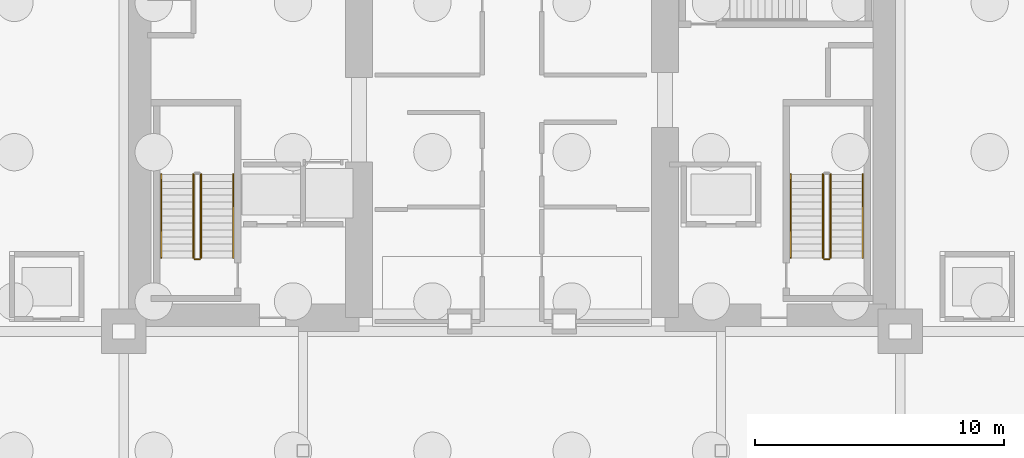
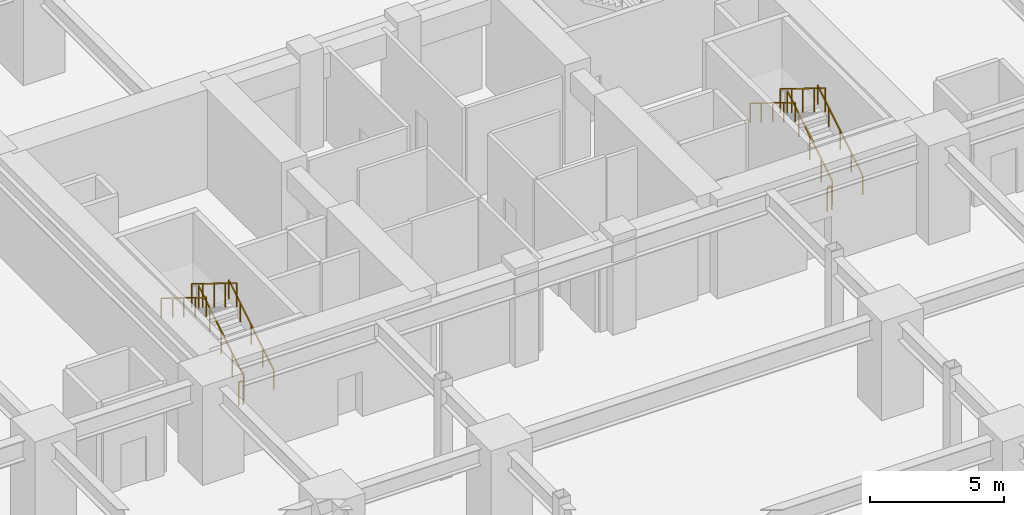
# One storey, part 16 of 23: 10 railings.
"""IFC4 building model written with IfcOpenShell, lengths in metres."""

from ifc_helpers import new_model, si_unit, direction, frame, origin, origin_2d, place, context, subcontext, project, spatial, rectangle, extrude, material, type_object, element, save


model = new_model("IFC4")

# Units and contexts
model_context = context("Model", 3, precision=1e-05, world=origin(), true_north=direction((0.0, 1.0)))
body_context = subcontext(model_context, "Body", "Model", "MODEL_VIEW")
ifc_project = project(units=[si_unit("LENGTHUNIT", "METRE"), si_unit("AREAUNIT", "SQUARE_METRE"), si_unit("VOLUMEUNIT", "CUBIC_METRE"), si_unit("PLANEANGLEUNIT", "RADIAN"), si_unit("MASSUNIT", "GRAM", prefix="KILO")], contexts=[model_context])

# Site, building, storey
site_placement = place(None, origin())
site = spatial("IfcSite", under=ifc_project, at=site_placement, CompositionType="ELEMENT")
building_placement = place(site_placement, origin())
building = spatial("IfcBuilding", under=site, at=building_placement, Name="Kiyonajd Concourse Tower", CompositionType="ELEMENT")
storey_placement = place(building_placement, frame((0.0, 0.0, -9.0)))
storey = spatial("IfcBuildingStorey", under=building, at=storey_placement, Name="B2", CompositionType="ELEMENT", Elevation=-9.0)

# Railings
ifc_material_1 = material(Name="Steel ASTM A500 Grade C", Category="steel")
railing_type_1 = type_object("IfcRailingType", Name="RL-GRD-STR", PredefinedType="GUARDRAIL", material=ifc_material_1)
railing_1_placement = place(storey_placement, frame((35.5, 30.550048828125, 0.173095703125)))
element("IfcRailing", 1, at=railing_1_placement, inside=storey, type_object=railing_type_1, Name="B2 ST1 stair guard 1", PredefinedType="GUARDRAIL", context=body_context, shape_type="SweptSolid", body=[
    extrude(rectangle(XDim=0.048095703125, YDim=0.048095703125, at=origin_2d()), frame((0.0, 0.0, 1.076171875), z_axis=(0.0, 0.850606129759, 0.525803396734), x_axis=(-1.0, 0.0, 0.0)), (0.0, 0.0, 1.0), 3.949951171875),
    extrude(rectangle(XDim=0.0419921875, YDim=0.0419921875, at=origin_2d()), origin(), (0.0, 0.0, 1.0), 1.052001953125),
    extrude(rectangle(XDim=0.0419921875, YDim=0.0419921875, at=origin_2d()), frame((0.0, 0.83984375, 0.519287109375)), (0.0, 0.0, 1.0), 1.052001953125),
    extrude(rectangle(XDim=0.0419921875, YDim=0.0419921875, at=origin_2d()), frame((0.0, 1.679931640625, 1.03857421875)), (0.0, 0.0, 1.0), 1.052001953125),
    extrude(rectangle(XDim=0.0419921875, YDim=0.0419921875, at=origin_2d()), frame((0.0, 2.52001953125, 1.5576171875)), (0.0, 0.0, 1.0), 1.052001953125),
    extrude(rectangle(XDim=0.0419921875, YDim=0.0419921875, at=origin_2d()), frame((0.0, 3.35986328125, 2.076904296875)), (0.0, 0.0, 1.0), 1.052001953125),
])
railing_2_placement = place(storey_placement, frame((35.199951171875, 33.909912109375, 2.423095703125)))
element("IfcRailing", 2, at=railing_2_placement, inside=storey, type_object=railing_type_1, Name="B2 ST1 stair guard 3", PredefinedType="GUARDRAIL", context=body_context, shape_type="SweptSolid", body=[
    extrude(rectangle(XDim=0.048095703125, YDim=0.048095703125, at=origin_2d()), frame((0.0, 0.0, 1.076171875), z_axis=(0.0, -0.850606129759, 0.525803396734), x_axis=(1.0, 0.0, 0.0)), (0.0, 0.0, 1.0), 3.949951171875),
    extrude(rectangle(XDim=0.0419921875, YDim=0.0419921875, at=origin_2d()), origin(), (0.0, 0.0, 1.0), 1.052001953125),
    extrude(rectangle(XDim=0.0419921875, YDim=0.0419921875, at=origin_2d()), frame((0.0, -0.83984375, 0.519287109375)), (0.0, 0.0, 1.0), 1.052001953125),
    extrude(rectangle(XDim=0.0419921875, YDim=0.0419921875, at=origin_2d()), frame((0.0, -1.679931640625, 1.03857421875)), (0.0, 0.0, 1.0), 1.052001953125),
    extrude(rectangle(XDim=0.0419921875, YDim=0.0419921875, at=origin_2d()), frame((0.0, -2.52001953125, 1.5576171875)), (0.0, 0.0, 1.0), 1.052001953125),
    extrude(rectangle(XDim=0.0419921875, YDim=0.0419921875, at=origin_2d()), frame((0.0, -3.35986328125, 2.076904296875)), (0.0, 0.0, 1.0), 1.052001953125),
])
railing_3_placement = place(storey_placement, frame((35.449951171875, 30.5, 0.0)))
element("IfcRailing", 3, at=railing_3_placement, inside=storey, type_object=railing_type_1, Name="B2 ST1 stair guard 4", PredefinedType="GUARDRAIL", context=body_context, shape_type="SweptSolid", body=[
    extrude(rectangle(XDim=0.048095703125, YDim=0.048095703125, at=origin_2d()), frame((0.0, 0.0, 1.076171875), z_axis=(-1.0, 0.0, 0.0), x_axis=(0.0, -1.0, 0.0)), (0.0, 0.0, 1.0), 0.199951171875),
    extrude(rectangle(XDim=0.0419921875, YDim=0.0419921875, at=origin_2d()), origin(), (0.0, 0.0, 1.0), 1.052001953125),
    extrude(rectangle(XDim=0.0419921875, YDim=0.0419921875, at=origin_2d()), frame((-0.199951171875, 0.0, 0.0)), (0.0, 0.0, 1.0), 1.052001953125),
])
railing_4_placement = place(storey_placement, frame((60.800048828125, 30.550048828125, 0.173095703125)))
element("IfcRailing", 4, at=railing_4_placement, inside=storey, type_object=railing_type_1, Name="B2 ST2 stair guard 1", PredefinedType="GUARDRAIL", context=body_context, shape_type="SweptSolid", body=[
    extrude(rectangle(XDim=0.048095703125, YDim=0.048095703125, at=origin_2d()), frame((0.0, 0.0, 1.076171875), z_axis=(0.0, 0.850606129759, 0.525803396734), x_axis=(-1.0, 0.0, 0.0)), (0.0, 0.0, 1.0), 3.949951171875),
    extrude(rectangle(XDim=0.0419921875, YDim=0.0419921875, at=origin_2d()), origin(), (0.0, 0.0, 1.0), 1.052001953125),
    extrude(rectangle(XDim=0.0419921875, YDim=0.0419921875, at=origin_2d()), frame((0.0, 0.83984375, 0.519287109375)), (0.0, 0.0, 1.0), 1.052001953125),
    extrude(rectangle(XDim=0.0419921875, YDim=0.0419921875, at=origin_2d()), frame((0.0, 1.679931640625, 1.03857421875)), (0.0, 0.0, 1.0), 1.052001953125),
    extrude(rectangle(XDim=0.0419921875, YDim=0.0419921875, at=origin_2d()), frame((0.0, 2.52001953125, 1.5576171875)), (0.0, 0.0, 1.0), 1.052001953125),
    extrude(rectangle(XDim=0.0419921875, YDim=0.0419921875, at=origin_2d()), frame((0.0, 3.35986328125, 2.076904296875)), (0.0, 0.0, 1.0), 1.052001953125),
])
railing_5_placement = place(storey_placement, frame((60.5, 33.909912109375, 2.423095703125)))
element("IfcRailing", 5, at=railing_5_placement, inside=storey, type_object=railing_type_1, Name="B2 ST2 stair guard 3", PredefinedType="GUARDRAIL", context=body_context, shape_type="SweptSolid", body=[
    extrude(rectangle(XDim=0.048095703125, YDim=0.048095703125, at=origin_2d()), frame((0.0, 0.0, 1.076171875), z_axis=(0.0, -0.850606129759, 0.525803396734), x_axis=(1.0, 0.0, 0.0)), (0.0, 0.0, 1.0), 3.949951171875),
    extrude(rectangle(XDim=0.0419921875, YDim=0.0419921875, at=origin_2d()), origin(), (0.0, 0.0, 1.0), 1.052001953125),
    extrude(rectangle(XDim=0.0419921875, YDim=0.0419921875, at=origin_2d()), frame((0.0, -0.83984375, 0.519287109375)), (0.0, 0.0, 1.0), 1.052001953125),
    extrude(rectangle(XDim=0.0419921875, YDim=0.0419921875, at=origin_2d()), frame((0.0, -1.679931640625, 1.03857421875)), (0.0, 0.0, 1.0), 1.052001953125),
    extrude(rectangle(XDim=0.0419921875, YDim=0.0419921875, at=origin_2d()), frame((0.0, -2.52001953125, 1.5576171875)), (0.0, 0.0, 1.0), 1.052001953125),
    extrude(rectangle(XDim=0.0419921875, YDim=0.0419921875, at=origin_2d()), frame((0.0, -3.35986328125, 2.076904296875)), (0.0, 0.0, 1.0), 1.052001953125),
])
railing_6_placement = place(storey_placement, frame((60.75, 30.5, 0.0)))
element("IfcRailing", 6, at=railing_6_placement, inside=storey, type_object=railing_type_1, Name="B2 ST2 stair guard 4", PredefinedType="GUARDRAIL", context=body_context, shape_type="SweptSolid", body=[
    extrude(rectangle(XDim=0.048095703125, YDim=0.048095703125, at=origin_2d()), frame((0.0, 0.0, 1.076171875), z_axis=(-1.0, 0.0, 0.0), x_axis=(0.0, -1.0, 0.0)), (0.0, 0.0, 1.0), 0.199951171875),
    extrude(rectangle(XDim=0.0419921875, YDim=0.0419921875, at=origin_2d()), origin(), (0.0, 0.0, 1.0), 1.052001953125),
    extrude(rectangle(XDim=0.0419921875, YDim=0.0419921875, at=origin_2d()), frame((-0.199951171875, 0.0, 0.0)), (0.0, 0.0, 1.0), 1.052001953125),
])
ifc_material_2 = material(Name="Brushed Stainless Steel Cab Assembly", Category="steel")
railing_type_2 = type_object("IfcRailingType", Name="RL-HND-900", PredefinedType="HANDRAIL", material=ifc_material_2)
railing_7_placement = place(storey_placement, frame((36.800048828125, 30.550048828125, 0.173095703125)))
element("IfcRailing", 7, at=railing_7_placement, inside=storey, type_object=railing_type_2, Name="B2 ST1 stair handrail 1", PredefinedType="HANDRAIL", context=body_context, shape_type="SweptSolid", body=[
    extrude(rectangle(XDim=0.048095703125, YDim=0.048095703125, at=origin_2d()), frame((0.0, 0.0, 0.8759765625), z_axis=(0.0, 0.850606129759, 0.525803396734), x_axis=(-1.0, 0.0, 0.0)), (0.0, 0.0, 1.0), 3.949951171875),
    extrude(rectangle(XDim=0.0419921875, YDim=0.0419921875, at=origin_2d()), origin(), (0.0, 0.0, 1.0), 0.851806640625),
    extrude(rectangle(XDim=0.0419921875, YDim=0.0419921875, at=origin_2d()), frame((0.0, 0.83984375, 0.519287109375)), (0.0, 0.0, 1.0), 0.851806640625),
    extrude(rectangle(XDim=0.0419921875, YDim=0.0419921875, at=origin_2d()), frame((0.0, 1.679931640625, 1.03857421875)), (0.0, 0.0, 1.0), 0.851806640625),
    extrude(rectangle(XDim=0.0419921875, YDim=0.0419921875, at=origin_2d()), frame((0.0, 2.52001953125, 1.5576171875)), (0.0, 0.0, 1.0), 0.851806640625),
    extrude(rectangle(XDim=0.0419921875, YDim=0.0419921875, at=origin_2d()), frame((0.0, 3.35986328125, 2.076904296875)), (0.0, 0.0, 1.0), 0.851806640625),
])
railing_8_placement = place(storey_placement, frame((33.89990234375, 33.909912109375, 2.423095703125)))
element("IfcRailing", 8, at=railing_8_placement, inside=storey, type_object=railing_type_2, Name="B2 ST1 stair handrail 2", PredefinedType="HANDRAIL", context=body_context, shape_type="SweptSolid", body=[
    extrude(rectangle(XDim=0.048095703125, YDim=0.048095703125, at=origin_2d()), frame((0.0, 0.0, 0.8759765625), z_axis=(0.0, -0.850606129759, 0.525803396734), x_axis=(1.0, 0.0, 0.0)), (0.0, 0.0, 1.0), 3.949951171875),
    extrude(rectangle(XDim=0.0419921875, YDim=0.0419921875, at=origin_2d()), origin(), (0.0, 0.0, 1.0), 0.851806640625),
    extrude(rectangle(XDim=0.0419921875, YDim=0.0419921875, at=origin_2d()), frame((0.0, -0.83984375, 0.519287109375)), (0.0, 0.0, 1.0), 0.851806640625),
    extrude(rectangle(XDim=0.0419921875, YDim=0.0419921875, at=origin_2d()), frame((0.0, -1.679931640625, 1.03857421875)), (0.0, 0.0, 1.0), 0.851806640625),
    extrude(rectangle(XDim=0.0419921875, YDim=0.0419921875, at=origin_2d()), frame((0.0, -2.52001953125, 1.5576171875)), (0.0, 0.0, 1.0), 0.851806640625),
    extrude(rectangle(XDim=0.0419921875, YDim=0.0419921875, at=origin_2d()), frame((0.0, -3.35986328125, 2.076904296875)), (0.0, 0.0, 1.0), 0.851806640625),
])
railing_9_placement = place(storey_placement, frame((62.10009765625, 30.550048828125, 0.173095703125)))
element("IfcRailing", 9, at=railing_9_placement, inside=storey, type_object=railing_type_2, Name="B2 ST2 stair handrail 1", PredefinedType="HANDRAIL", context=body_context, shape_type="SweptSolid", body=[
    extrude(rectangle(XDim=0.048095703125, YDim=0.048095703125, at=origin_2d()), frame((0.0, 0.0, 0.8759765625), z_axis=(0.0, 0.850606129759, 0.525803396734), x_axis=(-1.0, 0.0, 0.0)), (0.0, 0.0, 1.0), 3.949951171875),
    extrude(rectangle(XDim=0.0419921875, YDim=0.0419921875, at=origin_2d()), origin(), (0.0, 0.0, 1.0), 0.851806640625),
    extrude(rectangle(XDim=0.0419921875, YDim=0.0419921875, at=origin_2d()), frame((0.0, 0.83984375, 0.519287109375)), (0.0, 0.0, 1.0), 0.851806640625),
    extrude(rectangle(XDim=0.0419921875, YDim=0.0419921875, at=origin_2d()), frame((0.0, 1.679931640625, 1.03857421875)), (0.0, 0.0, 1.0), 0.851806640625),
    extrude(rectangle(XDim=0.0419921875, YDim=0.0419921875, at=origin_2d()), frame((0.0, 2.52001953125, 1.5576171875)), (0.0, 0.0, 1.0), 0.851806640625),
    extrude(rectangle(XDim=0.0419921875, YDim=0.0419921875, at=origin_2d()), frame((0.0, 3.35986328125, 2.076904296875)), (0.0, 0.0, 1.0), 0.851806640625),
])
railing_10_placement = place(storey_placement, frame((59.199951171875, 33.909912109375, 2.423095703125)))
element("IfcRailing", 10, at=railing_10_placement, inside=storey, type_object=railing_type_2, Name="B2 ST2 stair handrail 2", PredefinedType="HANDRAIL", context=body_context, shape_type="SweptSolid", body=[
    extrude(rectangle(XDim=0.048095703125, YDim=0.048095703125, at=origin_2d()), frame((0.0, 0.0, 0.8759765625), z_axis=(0.0, -0.850606129759, 0.525803396734), x_axis=(1.0, 0.0, 0.0)), (0.0, 0.0, 1.0), 3.949951171875),
    extrude(rectangle(XDim=0.0419921875, YDim=0.0419921875, at=origin_2d()), origin(), (0.0, 0.0, 1.0), 0.851806640625),
    extrude(rectangle(XDim=0.0419921875, YDim=0.0419921875, at=origin_2d()), frame((0.0, -0.83984375, 0.519287109375)), (0.0, 0.0, 1.0), 0.851806640625),
    extrude(rectangle(XDim=0.0419921875, YDim=0.0419921875, at=origin_2d()), frame((0.0, -1.679931640625, 1.03857421875)), (0.0, 0.0, 1.0), 0.851806640625),
    extrude(rectangle(XDim=0.0419921875, YDim=0.0419921875, at=origin_2d()), frame((0.0, -2.52001953125, 1.5576171875)), (0.0, 0.0, 1.0), 0.851806640625),
    extrude(rectangle(XDim=0.0419921875, YDim=0.0419921875, at=origin_2d()), frame((0.0, -3.35986328125, 2.076904296875)), (0.0, 0.0, 1.0), 0.851806640625),
])

save(model, "model.ifc")
